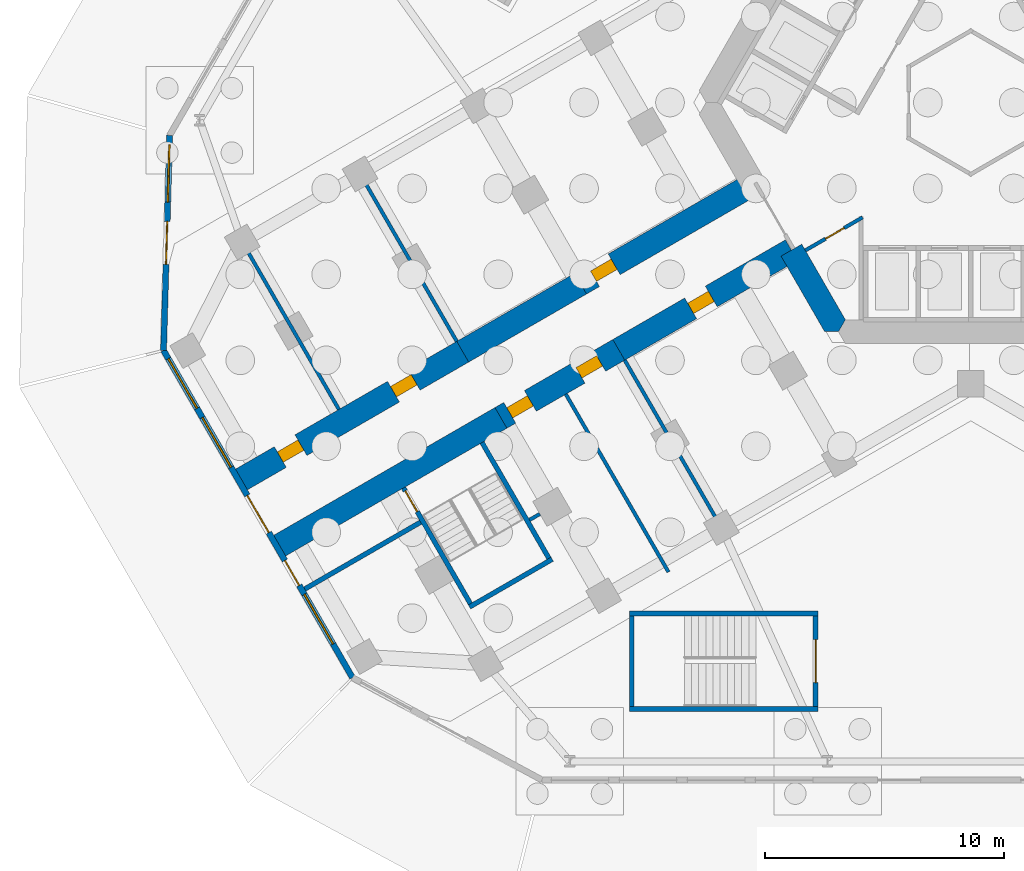
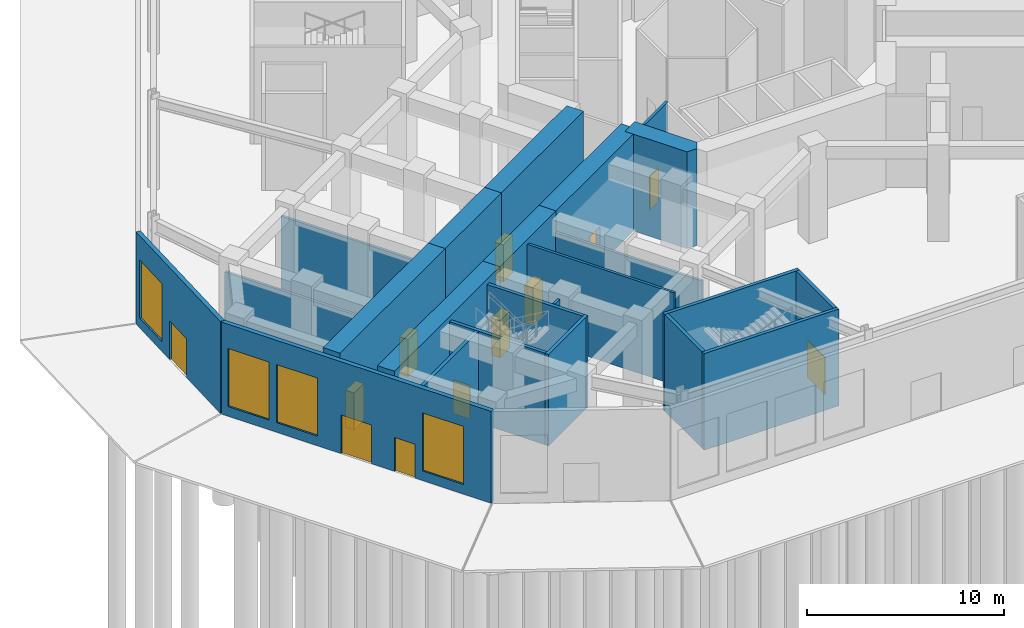
# One storey, part 5 of 16: 23 walls, 12 doors, 4 windows, 16 openings.
"""IFC4 building model written with IfcOpenShell, lengths in metres."""

from ifc_helpers import new_model, si_unit, direction, frame, frame_2d, origin, place, context, subcontext, project, spatial, polyline, rectangle, outline, extrude, material, layer, layer_set, type_object, element, fill, save


model = new_model("IFC4")

# Units and contexts
model_context = context("Model", 3, precision=1e-05, world=origin(), true_north=direction((0.0, 1.0)))
body_context = subcontext(model_context, "Body", "Model", "MODEL_VIEW")
ifc_project = project(units=[si_unit("LENGTHUNIT", "METRE"), si_unit("AREAUNIT", "SQUARE_METRE"), si_unit("VOLUMEUNIT", "CUBIC_METRE"), si_unit("PLANEANGLEUNIT", "RADIAN"), si_unit("MASSUNIT", "GRAM", prefix="KILO")], contexts=[model_context])

# Site, building, storey
site_placement = place(None, origin())
site = spatial("IfcSite", under=ifc_project, at=site_placement, CompositionType="ELEMENT")
building_placement = place(site_placement, origin())
building = spatial("IfcBuilding", under=site, at=building_placement, Name="Kosmar Iwan School Tower", CompositionType="ELEMENT")
storey_placement = place(building_placement, origin())
storey = spatial("IfcBuildingStorey", under=building, at=storey_placement, Name="L00", CompositionType="ELEMENT", Elevation=0.0)

# Wall, opening, door
ifc_material_1 = material(Name="Gypsum board on steel studs, fire-rated", Category="steel")
ifc_layer_1 = layer(ifc_material_1, 0.14990234375)
ifc_layer_set_1 = layer_set([ifc_layer_1], Name="Core room partition 150")
wall_type_1 = type_object("IfcWallType", Name="Core room partition 150", PredefinedType="PARTITIONING", material=ifc_layer_set_1)
wall_1_placement = place(storey_placement, frame((-6.930908203125, -6.195556640625, 0.0), z_axis=(0.0, 0.0, 1.0), x_axis=(0.866007755774, 0.500030566006, 0.0)))
wall_1 = element("IfcWall", 1, at=wall_1_placement, inside=storey, type_object=wall_type_1, Name="Core room partition L00-CW10", PredefinedType="PARTITIONING", context=body_context, shape_type="SweptSolid", body=[
    extrude(rectangle(XDim=2.766357421875, YDim=0.14990234375, at=frame_2d((1.38330078125, 0.0))), origin(), (0.0, 0.0, 1.0), 5.699951171875),
])
opening_1_placement = place(wall_1_placement, frame((0.97607421875, 0.0, 0.0)))
opening_1 = element("IfcOpeningElement", 2, at=opening_1_placement, cuts=wall_1, Name="Opening D14", PredefinedType="OPENING", context=body_context, shape_type="SweptSolid", body=[
    extrude(rectangle(XDim=0.89990234375, YDim=2.10009765625, at=frame_2d((0.449951171875, 1.050048828125))), frame((0.0, 0.0869140625, 0.0), z_axis=(0.0, -1.0, 0.0), x_axis=(1.0, 0.0, 0.0)), (0.0, 0.0, 1.0), 0.173828125),
])
ifc_material_2 = material(Name="Timber fire door in steel frame", Category="steel")
door_type_1 = type_object("IfcDoorType", Name="Core room door 900x2100", OperationType="SINGLE_SWING_LEFT", PredefinedType="DOOR", material=ifc_material_2)
door_1_placement = place(opening_1_placement, origin())
door_1 = element("IfcDoor", 3, at=door_1_placement, inside=storey, type_object=door_type_1, Name="Communications room door L00 4", OperationType="SINGLE_SWING_RIGHT", OverallHeight=2.10009765625, OverallWidth=0.89990234375, PredefinedType="DOOR", context=body_context, shape_type="SweptSolid", body=[
    extrude(rectangle(XDim=0.89990234375, YDim=2.10009765625, at=frame_2d((0.449951171875, 1.050048828125))), frame((0.0, 0.02490234375, 0.0), z_axis=(0.0, -1.0, 0.0), x_axis=(1.0, 0.0, 0.0)), (0.0, 0.0, 1.0), 0.050048828125),
])
fill(opening_1, door_1)

# Wall
ifc_material_3 = material(Name="Concrete C50/60", Category="concrete")
ifc_layer_2 = layer(ifc_material_3, 1.0)
ifc_layer_set_2 = layer_set([ifc_layer_2], Name="Core wall 1000")
wall_type_2 = type_object("IfcWallType", Name="Core wall 1000", PredefinedType="SHEAR", material=ifc_layer_set_2)
wall_2_placement = place(storey_placement, origin())
element("IfcWall", 4, at=wall_2_placement, inside=storey, type_object=wall_type_2, Name="Core wall F210b", PredefinedType="SHEAR", context=body_context, shape_type="SweptSolid", body=[
    extrude(outline(polyline([(-6.119873046875, -9.60009765625), (-5.54248046875, -9.60009765625), (-5.25390625, -9.10009765625), (-7.080810546875, -5.935546875), (-7.94677734375, -6.435546875), (-6.119873046875, -9.60009765625)])), origin(), (0.0, 0.0, 1.0), 6.0),
])

# Wall, opening, door
ifc_material_4 = material(Name="Concrete C50/60", Category="concrete")
ifc_layer_3 = layer(ifc_material_4, 1.0)
ifc_layer_set_3 = layer_set([ifc_layer_3], Name="Corridor buttress wall 1000")
wall_type_3 = type_object("IfcWallType", Name="Corridor buttress wall 1000", PredefinedType="SHEAR", material=ifc_layer_set_3)
wall_3_placement = place(storey_placement, frame((-7.513916015625, -6.185546875, 0.0), z_axis=(0.0, 0.0, 1.0), x_axis=(-0.866019549707, -0.500010139422, 0.0)))
wall_3 = element("IfcWall", 5, at=wall_3_placement, inside=storey, type_object=wall_type_3, Name="Corridor wall BL", PredefinedType="SHEAR", context=body_context, shape_type="SweptSolid", body=[
    extrude(rectangle(XDim=8.349853515625, YDim=1.0, at=frame_2d((4.1748046875, 0.0))), origin(), (0.0, 0.0, 1.0), 6.0),
])
opening_2_placement = place(wall_3_placement, frame((3.875, 0.0, 0.0)))
opening_2 = element("IfcOpeningElement", 6, at=opening_2_placement, cuts=wall_3, Name="Opening D4", PredefinedType="OPENING", context=body_context, shape_type="SweptSolid", body=[
    extrude(rectangle(XDim=1.0, YDim=2.300048828125, at=frame_2d((0.5, 1.14990234375))), frame((0.0, 0.511962890625, 0.0), z_axis=(0.0, -1.0, 0.0), x_axis=(1.0, 0.0, 0.0)), (0.0, 0.0, 1.0), 1.02392578125),
])
ifc_material_5 = material(Name="Timber fire door with vision panel", Category="wood")
door_type_2 = type_object("IfcDoorType", Name="Classroom door 1000x2300", OperationType="SINGLE_SWING_LEFT", PredefinedType="DOOR", material=ifc_material_5)
door_2_placement = place(opening_2_placement, origin())
door_2 = element("IfcDoor", 7, at=door_2_placement, inside=storey, type_object=door_type_2, Name="Gymnasium door L00-BL1", OperationType="SINGLE_SWING_RIGHT", OverallHeight=2.300048828125, OverallWidth=1.0, PredefinedType="DOOR", context=body_context, shape_type="SweptSolid", body=[
    extrude(rectangle(XDim=1.0, YDim=2.300048828125, at=frame_2d((0.5, 1.14990234375))), frame((0.0, 0.25, 0.0), z_axis=(0.0, -1.0, 0.0), x_axis=(1.0, 0.0, 0.0)), (0.0, 0.0, 1.0), 0.5),
])
fill(opening_2, door_2)

# Wall, openings, doors
wall_4_placement = place(storey_placement, frame((-14.7451171875, -10.360595703125, 0.0), z_axis=(0.0, 0.0, 1.0), x_axis=(-0.866015111908, -0.50001782563, 0.0)))
wall_4 = element("IfcWall", 8, at=wall_4_placement, inside=storey, type_object=wall_type_3, Name="Corridor wall BL bay 2", PredefinedType="SHEAR", context=body_context, shape_type="SweptSolid", body=[
    extrude(rectangle(XDim=5.699951171875, YDim=1.0, at=frame_2d((2.85009765625, 0.0))), origin(), (0.0, 0.0, 1.0), 6.0),
])
opening_3_placement = place(wall_4_placement, frame((0.925048828125, 0.0, 0.0)))
opening_3 = element("IfcOpeningElement", 9, at=opening_3_placement, cuts=wall_4, Name="Opening D4", PredefinedType="OPENING", context=body_context, shape_type="SweptSolid", body=[
    extrude(rectangle(XDim=1.0, YDim=2.300048828125, at=frame_2d((0.5, 1.14990234375))), frame((0.0, 0.511962890625, 0.0), z_axis=(0.0, -1.0, 0.0), x_axis=(1.0, 0.0, 0.0)), (0.0, 0.0, 1.0), 1.02392578125),
])
opening_4_placement = place(wall_4_placement, frame((4.27490234375, 0.0, 0.0)))
opening_4 = element("IfcOpeningElement", 10, at=opening_4_placement, cuts=wall_4, Name="Opening D4", PredefinedType="OPENING", context=body_context, shape_type="SweptSolid", body=[
    extrude(rectangle(XDim=1.0, YDim=2.300048828125, at=frame_2d((0.5, 1.14990234375))), frame((0.0, 0.511962890625, 0.0), z_axis=(0.0, -1.0, 0.0), x_axis=(1.0, 0.0, 0.0)), (0.0, 0.0, 1.0), 1.02392578125),
])
door_3_placement = place(opening_3_placement, origin())
door_3 = element("IfcDoor", 11, at=door_3_placement, inside=storey, type_object=door_type_2, Name="Changing room door L00-BL2", OperationType="SINGLE_SWING_RIGHT", OverallHeight=2.300048828125, OverallWidth=1.0, PredefinedType="DOOR", context=body_context, shape_type="SweptSolid", body=[
    extrude(rectangle(XDim=1.0, YDim=2.300048828125, at=frame_2d((0.5, 1.14990234375))), frame((0.0, 0.25, 0.0), z_axis=(0.0, -1.0, 0.0), x_axis=(1.0, 0.0, 0.0)), (0.0, 0.0, 1.0), 0.5),
])
fill(opening_3, door_3)
door_4_placement = place(opening_4_placement, origin())
door_4 = element("IfcDoor", 12, at=door_4_placement, inside=storey, type_object=door_type_2, Name="Staff room door L00-BL3", OperationType="SINGLE_SWING_RIGHT", OverallHeight=2.300048828125, OverallWidth=1.0, PredefinedType="DOOR", context=body_context, shape_type="SweptSolid", body=[
    extrude(rectangle(XDim=1.0, YDim=2.300048828125, at=frame_2d((0.5, 1.14990234375))), frame((0.0, 0.25, 0.0), z_axis=(0.0, -1.0, 0.0), x_axis=(1.0, 0.0, 0.0)), (0.0, 0.0, 1.0), 0.5),
])
fill(opening_4, door_4)

# Wall
wall_5_placement = place(storey_placement, frame((-19.681396484375, -13.210693359375, 0.0), z_axis=(0.0, 0.0, 1.0), x_axis=(-0.866034362967, -0.499984481919, 0.0)))
element("IfcWall", 13, at=wall_5_placement, inside=storey, type_object=wall_type_3, Name="Corridor wall BL bay 3", PredefinedType="SHEAR", context=body_context, shape_type="SweptSolid", body=[
    extrude(rectangle(XDim=10.699951171875, YDim=1.0, at=frame_2d((5.35009765625, 0.0))), origin(), (0.0, 0.0, 1.0), 6.0),
])

# Wall, opening, door
wall_6_placement = place(storey_placement, frame((-9.11376953125, -3.414306640625, 0.0), z_axis=(0.0, 0.0, 1.0), x_axis=(-0.866026859388, -0.499997478812, 0.0)))
wall_6 = element("IfcWall", 14, at=wall_6_placement, inside=storey, type_object=wall_type_3, Name="Corridor wall BR", PredefinedType="SHEAR", context=body_context, shape_type="SweptSolid", body=[
    extrude(rectangle(XDim=8.35009765625, YDim=1.0, at=frame_2d((4.175048828125, 0.0))), origin(), (0.0, 0.0, 1.0), 6.0),
])
opening_5_placement = place(wall_6_placement, frame((6.72509765625, 0.0, 0.0)))
opening_5 = element("IfcOpeningElement", 15, at=opening_5_placement, cuts=wall_6, Name="Opening D4", PredefinedType="OPENING", context=body_context, shape_type="SweptSolid", body=[
    extrude(rectangle(XDim=1.0, YDim=2.300048828125, at=frame_2d((0.5, 1.14990234375))), frame((0.0, 0.511962890625, 0.0), z_axis=(0.0, -1.0, 0.0), x_axis=(1.0, 0.0, 0.0)), (0.0, 0.0, 1.0), 1.02392578125),
])
door_5_placement = place(opening_5_placement, origin())
door_5 = element("IfcDoor", 16, at=door_5_placement, inside=storey, type_object=door_type_2, Name="Gymnasium door L00-BR1", OperationType="SINGLE_SWING_RIGHT", OverallHeight=2.300048828125, OverallWidth=1.0, PredefinedType="DOOR", context=body_context, shape_type="SweptSolid", body=[
    extrude(rectangle(XDim=1.0, YDim=2.300048828125, at=frame_2d((0.5, 1.14990234375))), frame((0.0, 0.25, 0.0), z_axis=(0.0, -1.0, 0.0), x_axis=(1.0, 0.0, 0.0)), (0.0, 0.0, 1.0), 0.5),
])
fill(opening_5, door_5)

# Wall
wall_7_placement = place(storey_placement, frame((-16.34521484375, -7.58935546875, 0.0), z_axis=(0.0, 0.0, 1.0), x_axis=(-0.866015111908, -0.50001782563, 0.0)))
element("IfcWall", 17, at=wall_7_placement, inside=storey, type_object=wall_type_3, Name="Corridor wall BR bay 2", PredefinedType="SHEAR", context=body_context, shape_type="SweptSolid", body=[
    extrude(rectangle(XDim=5.699951171875, YDim=1.0, at=frame_2d((2.85009765625, 0.0))), origin(), (0.0, 0.0, 1.0), 6.0),
])

# Wall, openings, doors
wall_8_placement = place(storey_placement, frame((-21.281494140625, -10.439453125, 0.0), z_axis=(0.0, 0.0, 1.0), x_axis=(-0.866034362967, -0.499984481919, 0.0)))
wall_8 = element("IfcWall", 18, at=wall_8_placement, inside=storey, type_object=wall_type_3, Name="Corridor wall BR bay 3", PredefinedType="SHEAR", context=body_context, shape_type="SweptSolid", body=[
    extrude(rectangle(XDim=10.699951171875, YDim=1.0, at=frame_2d((5.35009765625, 0.0))), origin(), (0.0, 0.0, 1.0), 6.0),
])
opening_6_placement = place(wall_8_placement, frame((2.35009765625, 0.0, 0.0)))
opening_6 = element("IfcOpeningElement", 19, at=opening_6_placement, cuts=wall_8, Name="Opening D4", PredefinedType="OPENING", context=body_context, shape_type="SweptSolid", body=[
    extrude(rectangle(XDim=1.0, YDim=2.300048828125, at=frame_2d((0.5, 1.14990234375))), frame((0.0, 0.511962890625, 0.0), z_axis=(0.0, -1.0, 0.0), x_axis=(1.0, 0.0, 0.0)), (0.0, 0.0, 1.0), 1.02392578125),
])
opening_7_placement = place(wall_8_placement, frame((7.824951171875, 0.0, 0.0)))
opening_7 = element("IfcOpeningElement", 20, at=opening_7_placement, cuts=wall_8, Name="Opening D4", PredefinedType="OPENING", context=body_context, shape_type="SweptSolid", body=[
    extrude(rectangle(XDim=1.0, YDim=2.300048828125, at=frame_2d((0.5, 1.14990234375))), frame((0.0, 0.511962890625, 0.0), z_axis=(0.0, -1.0, 0.0), x_axis=(1.0, 0.0, 0.0)), (0.0, 0.0, 1.0), 1.02392578125),
])
door_6_placement = place(opening_6_placement, origin())
door_6 = element("IfcDoor", 21, at=door_6_placement, inside=storey, type_object=door_type_2, Name="Changing room door L00-BR2", OperationType="SINGLE_SWING_LEFT", OverallHeight=2.300048828125, OverallWidth=1.0, PredefinedType="DOOR", context=body_context, shape_type="SweptSolid", body=[
    extrude(rectangle(XDim=1.0, YDim=2.300048828125, at=frame_2d((0.5, 1.14990234375))), frame((0.0, 0.25, 0.0), z_axis=(0.0, -1.0, 0.0), x_axis=(1.0, 0.0, 0.0)), (0.0, 0.0, 1.0), 0.5),
])
fill(opening_6, door_6)
door_7_placement = place(opening_7_placement, origin())
door_7 = element("IfcDoor", 22, at=door_7_placement, inside=storey, type_object=door_type_2, Name="Staff room door L00-BR3", OperationType="SINGLE_SWING_RIGHT", OverallHeight=2.300048828125, OverallWidth=1.0, PredefinedType="DOOR", context=body_context, shape_type="SweptSolid", body=[
    extrude(rectangle(XDim=1.0, YDim=2.300048828125, at=frame_2d((0.5, 1.14990234375))), frame((0.0, 0.25, 0.0), z_axis=(0.0, -1.0, 0.0), x_axis=(1.0, 0.0, 0.0)), (0.0, 0.0, 1.0), 0.5),
])
fill(opening_7, door_7)

# Wall, openings, door, window
ifc_material_6 = material(Name="Black steel framed glazed screen", Category="steel")
ifc_layer_4 = layer(ifc_material_6, 0.25)
ifc_layer_set_4 = layer_set([ifc_layer_4], Name="Entrance screen wall 250")
wall_type_4 = type_object("IfcWallType", Name="Entrance screen wall 250", PredefinedType="SOLIDWALL", material=ifc_layer_set_4)
wall_9_placement = place(storey_placement, frame((-33.5576171875, -1.37353515625, 0.0), z_axis=(0.0, 0.0, 1.0), x_axis=(-0.028386561818, -0.999597020358, 0.0)))
wall_9 = element("IfcWall", 23, at=wall_9_placement, inside=storey, type_object=wall_type_4, Name="Entrance screen L00 L00-F09", PredefinedType="SOLIDWALL", context=body_context, shape_type="SweptSolid", body=[
    extrude(rectangle(XDim=9.013427734375, YDim=0.25, at=frame_2d((4.5068359375, 0.0))), origin(), (0.0, 0.0, 1.0), 5.699951171875),
])
opening_8_placement = place(wall_9_placement, frame((3.606689453125, 0.0, 0.0)))
opening_8 = element("IfcOpeningElement", 24, at=opening_8_placement, cuts=wall_9, Name="Opening D10", PredefinedType="OPENING", context=body_context, shape_type="SweptSolid", body=[
    extrude(rectangle(XDim=1.800048828125, YDim=2.39990234375, at=frame_2d((0.89990234375, 1.199951171875))), frame((0.0, 0.136962890625, 0.0), z_axis=(0.0, -1.0, 0.0), x_axis=(1.0, 0.0, 0.0)), (0.0, 0.0, 1.0), 0.27392578125),
])
opening_9_placement = place(wall_9_placement, frame((0.39990234375, 0.0, 0.60009765625)))
opening_9 = element("IfcOpeningElement", 25, at=opening_9_placement, cuts=wall_9, Name="Opening W3", PredefinedType="OPENING", context=body_context, shape_type="SweptSolid", body=[
    extrude(rectangle(XDim=2.39990234375, YDim=3.60009765625, at=frame_2d((1.199951171875, 1.800048828125))), frame((0.0, 0.136962890625, 0.0), z_axis=(0.0, -1.0, 0.0), x_axis=(1.0, 0.0, 0.0)), (0.0, 0.0, 1.0), 0.27392578125),
])
ifc_material_7 = material(Name="Black steel framed glazed door", Category="steel")
door_type_3 = type_object("IfcDoorType", Name="Entrance door pair 1800x2400", OperationType="DOUBLE_DOOR_SINGLE_SWING", PredefinedType="DOOR", material=ifc_material_7)
door_8_placement = place(opening_8_placement, frame((1.800048828125, 0.0, 0.0), z_axis=(0.0, 0.0, 1.0), x_axis=(-1.0, 0.0, 0.0)))
door_8 = element("IfcDoor", 26, at=door_8_placement, inside=storey, type_object=door_type_3, Name="Entrance doors L00-F09 1", OperationType="DOUBLE_DOOR_SINGLE_SWING", OverallHeight=2.39990234375, OverallWidth=1.800048828125, PredefinedType="DOOR", context=body_context, shape_type="SweptSolid", body=[
    extrude(rectangle(XDim=1.800048828125, YDim=2.39990234375, at=frame_2d((0.89990234375, 1.199951171875))), frame((0.0, 0.02490234375, 0.0), z_axis=(0.0, -1.0, 0.0), x_axis=(1.0, 0.0, 0.0)), (0.0, 0.0, 1.0), 0.050048828125),
])
fill(opening_8, door_8)
ifc_material_8 = material(Name="Black aluminium frame with dark triple glazing", Category="aluminium")
window_type = type_object("IfcWindowType", Name="Screen window 2400x3600", PartitioningType="SINGLE_PANEL", PredefinedType="WINDOW", material=ifc_material_8)
window_1_placement = place(opening_9_placement, origin())
window_1 = element("IfcWindow", 27, at=window_1_placement, inside=storey, type_object=window_type, Name="Screen window L00-F09", OverallHeight=3.60009765625, OverallWidth=2.39990234375, PartitioningType="SINGLE_PANEL", PredefinedType="WINDOW", context=body_context, shape_type="SweptSolid", body=[
    extrude(rectangle(XDim=2.39990234375, YDim=3.60009765625, at=frame_2d((1.199951171875, 1.800048828125))), frame((0.0, 0.030029296875, 0.0), z_axis=(0.0, -1.0, 0.0), x_axis=(1.0, 0.0, 0.0)), (0.0, 0.0, 1.0), 0.06005859375),
])
fill(opening_9, window_1)

# Wall
ifc_material_9 = material(Name="Concrete C35/45", Category="concrete")
ifc_layer_5 = layer(ifc_material_9, 0.199951171875)
ifc_layer_set_5 = layer_set([ifc_layer_5], Name="Escape stair wall 200")
wall_type_5 = type_object("IfcWallType", Name="Escape stair wall 200", PredefinedType="SHEAR", material=ifc_layer_set_5)
wall_10_placement = place(storey_placement, frame((-20.470703125, -14.24365234375, 0.0), z_axis=(0.0, 0.0, 1.0), x_axis=(0.499987231761, -0.866032775405, 0.0)))
element("IfcWall", 28, at=wall_10_placement, inside=storey, type_object=wall_type_5, Name="Stair WS2 wall", PredefinedType="SHEAR", context=body_context, shape_type="SweptSolid", body=[
    extrude(rectangle(XDim=5.800048828125, YDim=0.199951171875, at=frame_2d((2.89990234375, 0.0))), origin(), (0.0, 0.0, 1.0), 5.679931640625),
])

# Wall, opening, door
wall_11_placement = place(storey_placement, frame((-23.76171875, -16.1435546875, 0.0), z_axis=(0.0, 0.0, 1.0), x_axis=(0.500018801468, -0.86601454848, 0.0)))
wall_11 = element("IfcWall", 29, at=wall_11_placement, inside=storey, type_object=wall_type_5, Name="Stair WS2 wall", PredefinedType="SHEAR", context=body_context, shape_type="SweptSolid", body=[
    extrude(rectangle(XDim=5.800048828125, YDim=0.199951171875, at=frame_2d((2.89990234375, 0.0))), origin(), (0.0, 0.0, 1.0), 5.679931640625),
])
opening_10_placement = place(wall_11_placement, frame((0.14990234375, 0.0, 0.0)))
opening_10 = element("IfcOpeningElement", 30, at=opening_10_placement, cuts=wall_11, Name="Opening D6", PredefinedType="OPENING", context=body_context, shape_type="SweptSolid", body=[
    extrude(rectangle(XDim=1.0, YDim=2.10009765625, at=frame_2d((0.5, 1.050048828125))), frame((0.0, 0.112060546875, 0.0), z_axis=(0.0, -1.0, 0.0), x_axis=(1.0, 0.0, 0.0)), (0.0, 0.0, 1.0), 0.223876953125),
])
ifc_material_10 = material(Name="Steel fire door", Category="steel")
door_type_4 = type_object("IfcDoorType", Name="Stair door 1000x2100", OperationType="SINGLE_SWING_LEFT", PredefinedType="DOOR", material=ifc_material_10)
door_9_placement = place(opening_10_placement, origin())
door_9 = element("IfcDoor", 31, at=door_9_placement, inside=storey, type_object=door_type_4, Name="Stair WS2 passage door L00", OperationType="SINGLE_SWING_LEFT", OverallHeight=2.10009765625, OverallWidth=1.0, PredefinedType="DOOR", context=body_context, shape_type="SweptSolid", body=[
    extrude(rectangle(XDim=1.0, YDim=2.10009765625, at=frame_2d((0.5, 1.050048828125))), frame((0.0, 0.02490234375, 0.0), z_axis=(0.0, -1.0, 0.0), x_axis=(1.0, 0.0, 0.0)), (0.0, 0.0, 1.0), 0.050048828125),
])
fill(opening_10, door_9)

# Walls
wall_12_placement = place(storey_placement, frame((-17.5341796875, -19.1298828125, 0.0), z_axis=(0.0, 0.0, 1.0), x_axis=(-0.866026010844, -0.49999894854, 0.0)))
element("IfcWall", 32, at=wall_12_placement, inside=storey, type_object=wall_type_5, Name="Stair WS2 wall", PredefinedType="SHEAR", context=body_context, shape_type="SweptSolid", body=[
    extrude(rectangle(XDim=4.0, YDim=0.199951171875, at=frame_2d((2.0, 0.0))), origin(), (0.0, 0.0, 1.0), 5.679931640625),
])
ifc_material_11 = material(Name="Concrete block masonry", Category="masonry")
ifc_layer_6 = layer(ifc_material_11, 0.199951171875)
ifc_layer_set_6 = layer_set([ifc_layer_6], Name="Fire lobby wall 200")
wall_type_6 = type_object("IfcWallType", Name="Fire lobby wall 200", PredefinedType="PARTITIONING", material=ifc_layer_set_6)
wall_13_placement = place(storey_placement, frame((-23.04833984375, -17.579345703125, 0.0), z_axis=(0.0, 0.0, 1.0), x_axis=(-0.866015695474, -0.500016814911, 0.0)))
element("IfcWall", 33, at=wall_13_placement, inside=storey, type_object=wall_type_6, Name="Stair WS2 exit passage wall", PredefinedType="PARTITIONING", context=body_context, shape_type="SweptSolid", body=[
    extrude(rectangle(XDim=5.599853515625, YDim=0.199951171875, at=frame_2d((2.7998046875, 0.0))), origin(), (0.0, 0.0, 1.0), 5.679931640625),
])

# Wall, openings, doors, windows
ifc_material_12 = material(Name="Black steel framed fire-resisting glazed screen", Category="steel")
ifc_layer_7 = layer(ifc_material_12, 0.25)
ifc_layer_set_7 = layer_set([ifc_layer_7], Name="Fire-resisting entrance screen wall 250")
wall_type_7 = type_object("IfcWallType", Name="Fire-resisting entrance screen wall 250", PredefinedType="SOLIDWALL", material=ifc_layer_set_7)
wall_14_placement = place(storey_placement, frame((-33.8134765625, -10.38330078125, 0.0), z_axis=(0.0, 0.0, 1.0), x_axis=(0.499997482717, -0.866026857134, 0.0)))
wall_14 = element("IfcWall", 34, at=wall_14_placement, inside=storey, type_object=wall_type_7, Name="Entrance screen L00 L00-F10", PredefinedType="SOLIDWALL", context=body_context, shape_type="SweptSolid", body=[
    extrude(rectangle(XDim=15.8291015625, YDim=0.25, at=frame_2d((7.91455078125, 0.0))), origin(), (0.0, 0.0, 1.0), 5.699951171875),
])
opening_11_placement = place(wall_14_placement, frame((7.0146484375, 0.0, 0.0)))
opening_11 = element("IfcOpeningElement", 35, at=opening_11_placement, cuts=wall_14, Name="Opening D10", PredefinedType="OPENING", context=body_context, shape_type="SweptSolid", body=[
    extrude(rectangle(XDim=1.800048828125, YDim=2.39990234375, at=frame_2d((0.89990234375, 1.199951171875))), frame((0.0, 0.136962890625, 0.0), z_axis=(0.0, -1.0, 0.0), x_axis=(1.0, 0.0, 0.0)), (0.0, 0.0, 1.0), 0.27392578125),
])
opening_12_placement = place(wall_14_placement, frame((0.39990234375, 0.0, 0.60009765625)))
opening_12 = element("IfcOpeningElement", 36, at=opening_12_placement, cuts=wall_14, Name="Opening W3", PredefinedType="OPENING", context=body_context, shape_type="SweptSolid", body=[
    extrude(rectangle(XDim=2.39990234375, YDim=3.60009765625, at=frame_2d((1.199951171875, 1.800048828125))), frame((0.0, 0.136962890625, 0.0), z_axis=(0.0, -1.0, 0.0), x_axis=(1.0, 0.0, 0.0)), (0.0, 0.0, 1.0), 0.27392578125),
])
opening_13_placement = place(wall_14_placement, frame((3.25, 0.0, 0.60009765625)))
opening_13 = element("IfcOpeningElement", 37, at=opening_13_placement, cuts=wall_14, Name="Opening W3", PredefinedType="OPENING", context=body_context, shape_type="SweptSolid", body=[
    extrude(rectangle(XDim=2.39990234375, YDim=3.60009765625, at=frame_2d((1.199951171875, 1.800048828125))), frame((0.0, 0.136962890625, 0.0), z_axis=(0.0, -1.0, 0.0), x_axis=(1.0, 0.0, 0.0)), (0.0, 0.0, 1.0), 0.27392578125),
])
opening_14_placement = place(wall_14_placement, frame((11.800048828125, 0.0, 0.60009765625)))
opening_14 = element("IfcOpeningElement", 38, at=opening_14_placement, cuts=wall_14, Name="Opening W3", PredefinedType="OPENING", context=body_context, shape_type="SweptSolid", body=[
    extrude(rectangle(XDim=2.39990234375, YDim=3.60009765625, at=frame_2d((1.199951171875, 1.800048828125))), frame((0.0, 0.136962890625, 0.0), z_axis=(0.0, -1.0, 0.0), x_axis=(1.0, 0.0, 0.0)), (0.0, 0.0, 1.0), 0.27392578125),
])
opening_15_placement = place(wall_14_placement, frame((10.16455078125, 0.0, 0.0)))
opening_15 = element("IfcOpeningElement", 39, at=opening_15_placement, cuts=wall_14, Name="Opening D16", PredefinedType="OPENING", context=body_context, shape_type="SweptSolid", body=[
    extrude(rectangle(XDim=1.199951171875, YDim=2.10009765625, at=frame_2d((0.60009765625, 1.050048828125))), frame((0.0, 0.136962890625, 0.0), z_axis=(0.0, -1.0, 0.0), x_axis=(1.0, 0.0, 0.0)), (0.0, 0.0, 1.0), 0.27392578125),
])
door_10_placement = place(opening_11_placement, frame((1.800048828125, 0.0, 0.0), z_axis=(0.0, 0.0, 1.0), x_axis=(-1.0, 0.0, 0.0)))
door_10 = element("IfcDoor", 40, at=door_10_placement, inside=storey, type_object=door_type_3, Name="Entrance doors L00-F10 1", OperationType="DOUBLE_DOOR_SINGLE_SWING", OverallHeight=2.39990234375, OverallWidth=1.800048828125, PredefinedType="DOOR", context=body_context, shape_type="SweptSolid", body=[
    extrude(rectangle(XDim=1.800048828125, YDim=2.39990234375, at=frame_2d((0.89990234375, 1.199951171875))), frame((0.0, 0.02490234375, 0.0), z_axis=(0.0, -1.0, 0.0), x_axis=(1.0, 0.0, 0.0)), (0.0, 0.0, 1.0), 0.050048828125),
])
fill(opening_11, door_10)
window_2_placement = place(opening_12_placement, origin())
window_2 = element("IfcWindow", 41, at=window_2_placement, inside=storey, type_object=window_type, Name="Screen window L00-F10", OverallHeight=3.60009765625, OverallWidth=2.39990234375, PartitioningType="SINGLE_PANEL", PredefinedType="WINDOW", context=body_context, shape_type="SweptSolid", body=[
    extrude(rectangle(XDim=2.39990234375, YDim=3.60009765625, at=frame_2d((1.199951171875, 1.800048828125))), frame((0.0, 0.030029296875, 0.0), z_axis=(0.0, -1.0, 0.0), x_axis=(1.0, 0.0, 0.0)), (0.0, 0.0, 1.0), 0.06005859375),
])
fill(opening_12, window_2)
window_3_placement = place(opening_13_placement, origin())
window_3 = element("IfcWindow", 42, at=window_3_placement, inside=storey, type_object=window_type, Name="Screen window L00-F10", OverallHeight=3.60009765625, OverallWidth=2.39990234375, PartitioningType="SINGLE_PANEL", PredefinedType="WINDOW", context=body_context, shape_type="SweptSolid", body=[
    extrude(rectangle(XDim=2.39990234375, YDim=3.60009765625, at=frame_2d((1.199951171875, 1.800048828125))), frame((0.0, 0.030029296875, 0.0), z_axis=(0.0, -1.0, 0.0), x_axis=(1.0, 0.0, 0.0)), (0.0, 0.0, 1.0), 0.06005859375),
])
fill(opening_13, window_3)
window_4_placement = place(opening_14_placement, origin())
window_4 = element("IfcWindow", 43, at=window_4_placement, inside=storey, type_object=window_type, Name="Screen window L00-F10", OverallHeight=3.60009765625, OverallWidth=2.39990234375, PartitioningType="SINGLE_PANEL", PredefinedType="WINDOW", context=body_context, shape_type="SweptSolid", body=[
    extrude(rectangle(XDim=2.39990234375, YDim=3.60009765625, at=frame_2d((1.199951171875, 1.800048828125))), frame((0.0, 0.030029296875, 0.0), z_axis=(0.0, -1.0, 0.0), x_axis=(1.0, 0.0, 0.0)), (0.0, 0.0, 1.0), 0.06005859375),
])
fill(opening_14, window_4)
ifc_material_13 = material(Name="Steel fire door with panic bar", Category="steel")
door_type_5 = type_object("IfcDoorType", Name="Stair exit door 1200x2100", OperationType="SINGLE_SWING_LEFT", PredefinedType="DOOR", material=ifc_material_13)
door_11_placement = place(opening_15_placement, frame((1.199951171875, 0.0, 0.0), z_axis=(0.0, 0.0, 1.0), x_axis=(-1.0, 0.0, 0.0)))
door_11 = element("IfcDoor", 44, at=door_11_placement, inside=storey, type_object=door_type_5, Name="Stair WS2 exit door", OperationType="SINGLE_SWING_RIGHT", OverallHeight=2.10009765625, OverallWidth=1.199951171875, PredefinedType="DOOR", context=body_context, shape_type="SweptSolid", body=[
    extrude(rectangle(XDim=1.199951171875, YDim=2.10009765625, at=frame_2d((0.60009765625, 1.050048828125))), frame((0.0, 0.02490234375, 0.0), z_axis=(0.0, -1.0, 0.0), x_axis=(1.0, 0.0, 0.0)), (0.0, 0.0, 1.0), 0.050048828125),
])
fill(opening_15, door_11)

# Walls
ifc_material_14 = material(Name="Gypsum board on steel studs", Category="steel")
ifc_layer_8 = layer(ifc_material_14, 0.14990234375)
ifc_layer_set_8 = layer_set([ifc_layer_8], Name="School partition 150")
wall_type_8 = type_object("IfcWallType", Name="School partition 150", PredefinedType="PARTITIONING", material=ifc_layer_set_8)
wall_15_placement = place(storey_placement, frame((-18.051025390625, -17.234619140625, 0.0), z_axis=(0.0, 0.0, 1.0), x_axis=(-0.866071776036, -0.499919672301, 0.0)))
element("IfcWall", 45, at=wall_15_placement, inside=storey, type_object=wall_type_8, Name="Partition L00-BL-NS", PredefinedType="PARTITIONING", context=body_context, shape_type="SweptSolid", body=[
    extrude(rectangle(XDim=0.5, YDim=0.14990234375, at=frame_2d((0.25, 0.0))), origin(), (0.0, 0.0, 1.0), 5.699951171875),
])
wall_16_placement = place(storey_placement, frame((-14.4951171875, -10.793701171875, 0.0), z_axis=(0.0, 0.0, 1.0), x_axis=(0.500007509209, -0.866021068297, 0.0)))
element("IfcWall", 46, at=wall_16_placement, inside=storey, type_object=wall_type_8, Name="Partition L00-BL-X1", PredefinedType="PARTITIONING", context=body_context, shape_type="SweptSolid", body=[
    extrude(rectangle(XDim=8.599853515625, YDim=0.14990234375, at=frame_2d((4.2998046875, 0.0))), origin(), (0.0, 0.0, 1.0), 4.699951171875),
])
wall_17_placement = place(storey_placement, frame((-16.96337890625, -12.21875, 0.0), z_axis=(0.0, 0.0, 1.0), x_axis=(0.500007509209, -0.866021068297, 0.0)))
element("IfcWall", 47, at=wall_17_placement, inside=storey, type_object=wall_type_8, Name="Partition L00-BL-X2", PredefinedType="PARTITIONING", context=body_context, shape_type="SweptSolid", body=[
    extrude(rectangle(XDim=8.599853515625, YDim=0.14990234375, at=frame_2d((4.2998046875, 0.0))), origin(), (0.0, 0.0, 1.0), 5.699951171875),
])
wall_18_placement = place(storey_placement, frame((-21.531494140625, -10.00634765625, 0.0), z_axis=(0.0, 0.0, 1.0), x_axis=(-0.500007509209, 0.866021068297, 0.0)))
element("IfcWall", 48, at=wall_18_placement, inside=storey, type_object=wall_type_8, Name="Partition L00-BR-X1", PredefinedType="PARTITIONING", context=body_context, shape_type="SweptSolid", body=[
    extrude(rectangle(XDim=8.599853515625, YDim=0.14990234375, at=frame_2d((4.2998046875, 0.0))), origin(), (0.0, 0.0, 1.0), 4.699951171875),
])
wall_19_placement = place(storey_placement, frame((-26.4677734375, -12.8564453125, 0.0), z_axis=(0.0, 0.0, 1.0), x_axis=(-0.499995216735, 0.866028165386, 0.0)))
element("IfcWall", 49, at=wall_19_placement, inside=storey, type_object=wall_type_8, Name="Partition L00-BR-X2", PredefinedType="PARTITIONING", context=body_context, shape_type="SweptSolid", body=[
    extrude(rectangle(XDim=8.60009765625, YDim=0.14990234375, at=frame_2d((4.300048828125, 0.0))), origin(), (0.0, 0.0, 1.0), 4.699951171875),
])
ifc_material_15 = material(Name="Concrete C50/60", Category="concrete")
ifc_layer_9 = layer(ifc_material_15, 0.199951171875)
ifc_layer_set_9 = layer_set([ifc_layer_9], Name="Stair enclosure wall 200")
wall_type_9 = type_object("IfcWallType", Name="Stair enclosure wall 200", PredefinedType="SHEAR", material=ifc_layer_set_9)
for number, where, z_axis, x_axis, name in (
    (50, (-14.300048828125, -21.39990234375, 0.0), (0.0, 0.0, 1.0), (1.0, 0.0, 0.0), "School stair SS1 wall"),
    (51, (-14.300048828125, -25.39990234375, 0.0), (0.0, 0.0, 1.0), (1.0, 0.0, 0.0), "School stair SS1 wall"),
):
    element("IfcWall", number, at=place(storey_placement, frame(where, z_axis=z_axis, x_axis=x_axis)), inside=storey, type_object=wall_type_9, Name=name, PredefinedType="SHEAR", context=body_context, shape_type="SweptSolid", body=[
        extrude(rectangle(XDim=7.900146484375, YDim=0.199951171875, at=frame_2d((3.9501953125, 0.0))), origin(), (0.0, 0.0, 1.0), 6.0),
    ])
wall_20_placement = place(storey_placement, frame((-14.199951171875, -21.5, 0.0), z_axis=(0.0, 0.0, 1.0), x_axis=(0.0, -1.0, 0.0)))
element("IfcWall", 52, at=wall_20_placement, inside=storey, type_object=wall_type_9, Name="School stair SS1 wall", PredefinedType="SHEAR", context=body_context, shape_type="SweptSolid", body=[
    extrude(rectangle(XDim=3.800048828125, YDim=0.199951171875, at=frame_2d((1.89990234375, 0.0))), origin(), (0.0, 0.0, 1.0), 6.0),
])

# Wall, opening, door
wall_21_placement = place(storey_placement, frame((-6.5, -21.5, 0.0), z_axis=(0.0, 0.0, 1.0), x_axis=(0.0, -1.0, 0.0)))
wall_21 = element("IfcWall", 53, at=wall_21_placement, inside=storey, type_object=wall_type_9, Name="School stair SS1 wall", PredefinedType="SHEAR", context=body_context, shape_type="SweptSolid", body=[
    extrude(rectangle(XDim=3.800048828125, YDim=0.199951171875, at=frame_2d((1.89990234375, 0.0))), origin(), (0.0, 0.0, 1.0), 6.0),
])
opening_16_placement = place(wall_21_placement, frame((1.0, 0.0, 0.0)))
opening_16 = element("IfcOpeningElement", 54, at=opening_16_placement, cuts=wall_21, Name="Opening D8", PredefinedType="OPENING", context=body_context, shape_type="SweptSolid", body=[
    extrude(rectangle(XDim=1.800048828125, YDim=2.300048828125, at=frame_2d((0.89990234375, 1.14990234375))), frame((0.0, 0.112060546875, 0.0), z_axis=(0.0, -1.0, 0.0), x_axis=(1.0, 0.0, 0.0)), (0.0, 0.0, 1.0), 0.223876953125),
])
ifc_material_16 = material(Name="Steel fire door", Category="steel")
door_type_6 = type_object("IfcDoorType", Name="School stair door pair 1800x2300", OperationType="DOUBLE_DOOR_SINGLE_SWING", PredefinedType="DOOR", material=ifc_material_16)
door_12_placement = place(opening_16_placement, origin())
door_12 = element("IfcDoor", 55, at=door_12_placement, inside=storey, type_object=door_type_6, Name="School stair SS1 door L00", OperationType="DOUBLE_DOOR_SINGLE_SWING", OverallHeight=2.300048828125, OverallWidth=1.800048828125, PredefinedType="DOOR", context=body_context, shape_type="SweptSolid", body=[
    extrude(rectangle(XDim=1.800048828125, YDim=2.300048828125, at=frame_2d((0.89990234375, 1.14990234375))), frame((0.0, 0.02490234375, 0.0), z_axis=(0.0, -1.0, 0.0), x_axis=(1.0, 0.0, 0.0)), (0.0, 0.0, 1.0), 0.050048828125),
])
fill(opening_16, door_12)

save(model, "model.ifc")
